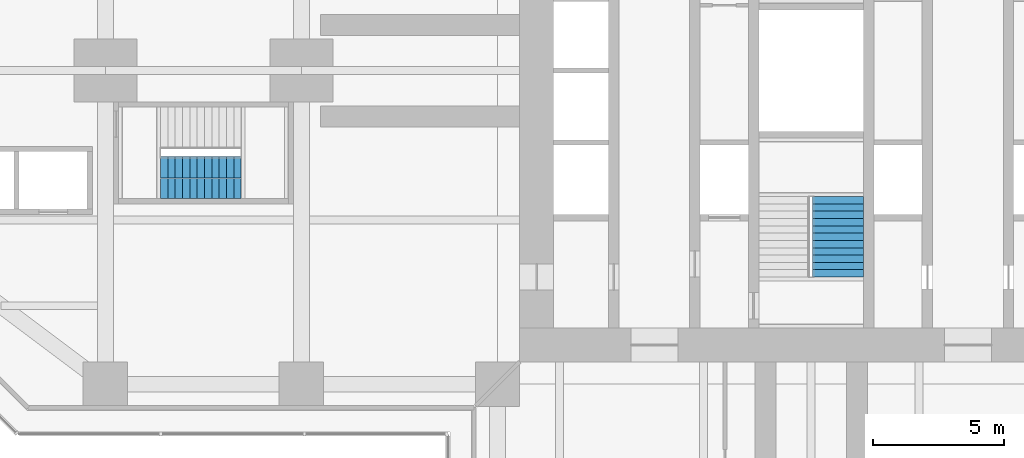
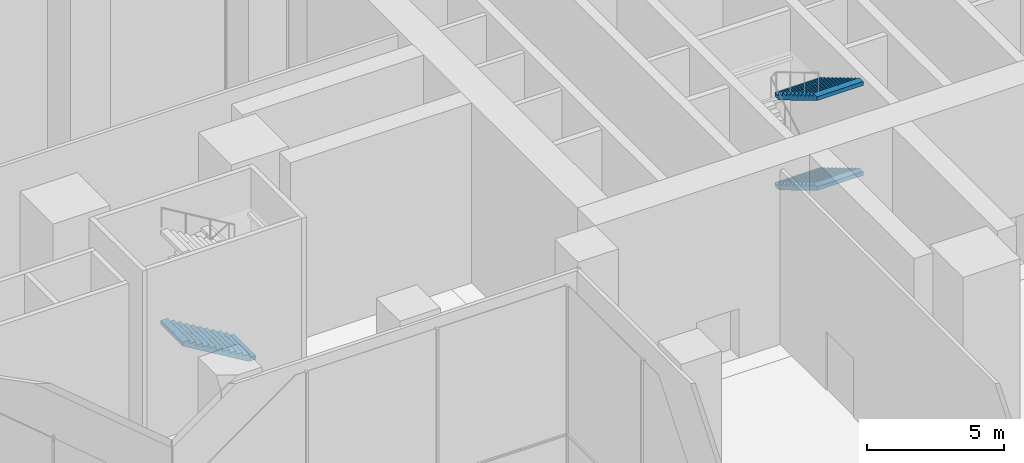
# One storey, part 20 of 25: 3 stair flights, 2 elements without a shape of their own.
"""IFC4 building model written with IfcOpenShell, lengths in metres."""

from ifc_helpers import new_model, si_unit, direction, frame, origin, place, context, subcontext, project, spatial, polyline, outline, extrude, material, type_object, element, aggregate, save


model = new_model("IFC4")

# Units and contexts
model_context = context("Model", 3, precision=1e-05, world=origin(), true_north=direction((0.0, 1.0)))
body_context = subcontext(model_context, "Body", "Model", "MODEL_VIEW")
ifc_project = project(units=[si_unit("LENGTHUNIT", "METRE"), si_unit("AREAUNIT", "SQUARE_METRE"), si_unit("VOLUMEUNIT", "CUBIC_METRE"), si_unit("PLANEANGLEUNIT", "RADIAN"), si_unit("MASSUNIT", "GRAM", prefix="KILO")], contexts=[model_context])

# Site, building, storey
site_placement = place(None, origin())
site = spatial("IfcSite", under=ifc_project, at=site_placement, CompositionType="ELEMENT")
building_placement = place(site_placement, origin())
building = spatial("IfcBuilding", under=site, at=building_placement, Name="Mizan Broadcast Tower", CompositionType="ELEMENT")
storey_placement = place(building_placement, frame((0.0, 0.0, 7.0)))
storey = spatial("IfcBuildingStorey", under=building, at=storey_placement, Name="L01", CompositionType="ELEMENT", Elevation=7.0)

# Stair, stair flights
ifc_material_1 = material(Name="Concrete C40/50", Category="concrete")
stair_type = type_object("IfcStairType", Name="EXIT STAIR", PredefinedType="HALF_TURN_STAIR", material=ifc_material_1)
stair_1_placement = place(storey_placement, origin())
stair_1 = element("IfcStair", 1, at=stair_1_placement, inside=storey, type_object=stair_type, Name="Stair A L01", PredefinedType="HALF_TURN_STAIR")
ifc_material_2 = material(Name="Concrete C40/50", Category="concrete")
stair_flight_type = type_object("IfcStairFlightType", Name="EXIT STAIR FLIGHT", PredefinedType="STRAIGHT", material=ifc_material_2)
stair_flight_1_placement = place(storey_placement, frame((1.02490234375, -4.820068359375, 2.0), z_axis=(0.0, 0.0, 1.0), x_axis=(0.0, -1.0, 0.0)))
stair_flight_1 = element("IfcStairFlight", 2, at=stair_flight_1_placement, type_object=stair_flight_type, Name="A flight 2", NumberOfRisers=12, NumberOfTreads=11, PredefinedType="STRAIGHT", RiserHeight=0.166666667, TreadLength=0.28, context=body_context, shape_type="SweptSolid", body=[
    extrude(outline(polyline([(0.0, 0.0), (0.0, 0.166748046875), (0.280029296875, 0.166748046875), (0.280029296875, 0.333251953125), (0.56005859375, 0.333251953125), (0.56005859375, 0.5), (0.840087890625, 0.5), (0.840087890625, 0.666748046875), (1.1201171875, 0.666748046875), (1.1201171875, 0.833251953125), (1.39990234375, 0.833251953125), (1.39990234375, 1.0), (1.679931640625, 1.0), (1.679931640625, 1.166748046875), (1.9599609375, 1.166748046875), (1.9599609375, 1.333251953125), (2.239990234375, 1.333251953125), (2.239990234375, 1.5), (2.52001953125, 1.5), (2.52001953125, 1.666748046875), (2.800048828125, 1.666748046875), (2.800048828125, 1.833251953125), (3.080078125, 1.833251953125), (3.080078125, 2.0), (3.080078125, 1.658935546875), (0.29296875, 0.0), (0.0, 0.0)])), frame((0.0, 0.97509765625, 0.0), z_axis=(0.0, -1.0, 0.0), x_axis=(1.0, 0.0, 0.0)), (0.0, 0.0, 1.0), 0.4873046875),
    extrude(outline(polyline([(0.0, 0.0), (0.0, 0.166748046875), (0.280029296875, 0.166748046875), (0.280029296875, 0.333251953125), (0.56005859375, 0.333251953125), (0.56005859375, 0.5), (0.840087890625, 0.5), (0.840087890625, 0.666748046875), (1.1201171875, 0.666748046875), (1.1201171875, 0.833251953125), (1.39990234375, 0.833251953125), (1.39990234375, 1.0), (1.679931640625, 1.0), (1.679931640625, 1.166748046875), (1.9599609375, 1.166748046875), (1.9599609375, 1.333251953125), (2.239990234375, 1.333251953125), (2.239990234375, 1.5), (2.52001953125, 1.5), (2.52001953125, 1.666748046875), (2.800048828125, 1.666748046875), (2.800048828125, 1.833251953125), (3.080078125, 1.833251953125), (3.080078125, 2.0), (3.080078125, 1.658935546875), (0.29296875, 0.0), (0.0, 0.0)])), frame((0.0, 0.4873046875, 0.0), z_axis=(0.0, -1.0, 0.0), x_axis=(1.0, 0.0, 0.0)), (0.0, 0.0, 1.0), 0.2431640625),
    extrude(outline(polyline([(0.0, 0.0), (0.0, 0.166748046875), (0.280029296875, 0.166748046875), (0.280029296875, 0.333251953125), (0.56005859375, 0.333251953125), (0.56005859375, 0.5), (0.840087890625, 0.5), (0.840087890625, 0.666748046875), (1.1201171875, 0.666748046875), (1.1201171875, 0.833251953125), (1.39990234375, 0.833251953125), (1.39990234375, 1.0), (1.679931640625, 1.0), (1.679931640625, 1.166748046875), (1.9599609375, 1.166748046875), (1.9599609375, 1.333251953125), (2.239990234375, 1.333251953125), (2.239990234375, 1.5), (2.52001953125, 1.5), (2.52001953125, 1.666748046875), (2.800048828125, 1.666748046875), (2.800048828125, 1.833251953125), (3.080078125, 1.833251953125), (3.080078125, 2.0), (3.080078125, 1.658935546875), (0.29296875, 0.0), (0.0, 0.0)])), frame((0.0, 0.24365234375, 0.0), z_axis=(0.0, -1.0, 0.0), x_axis=(1.0, 0.0, 0.0)), (0.0, 0.0, 1.0), 0.121337890625),
    extrude(outline(polyline([(0.0, 0.0), (0.0, 0.166748046875), (0.280029296875, 0.166748046875), (0.280029296875, 0.333251953125), (0.56005859375, 0.333251953125), (0.56005859375, 0.5), (0.840087890625, 0.5), (0.840087890625, 0.666748046875), (1.1201171875, 0.666748046875), (1.1201171875, 0.833251953125), (1.39990234375, 0.833251953125), (1.39990234375, 1.0), (1.679931640625, 1.0), (1.679931640625, 1.166748046875), (1.9599609375, 1.166748046875), (1.9599609375, 1.333251953125), (2.239990234375, 1.333251953125), (2.239990234375, 1.5), (2.52001953125, 1.5), (2.52001953125, 1.666748046875), (2.800048828125, 1.666748046875), (2.800048828125, 1.833251953125), (3.080078125, 1.833251953125), (3.080078125, 2.0), (3.080078125, 1.658935546875), (0.29296875, 0.0), (0.0, 0.0)])), frame((0.0, 0.121826171875, 0.0), z_axis=(0.0, -1.0, 0.0), x_axis=(1.0, 0.0, 0.0)), (0.0, 0.0, 1.0), 0.060546875),
    extrude(outline(polyline([(0.0, 0.0), (0.0, 0.166748046875), (0.280029296875, 0.166748046875), (0.280029296875, 0.333251953125), (0.56005859375, 0.333251953125), (0.56005859375, 0.5), (0.840087890625, 0.5), (0.840087890625, 0.666748046875), (1.1201171875, 0.666748046875), (1.1201171875, 0.833251953125), (1.39990234375, 0.833251953125), (1.39990234375, 1.0), (1.679931640625, 1.0), (1.679931640625, 1.166748046875), (1.9599609375, 1.166748046875), (1.9599609375, 1.333251953125), (2.239990234375, 1.333251953125), (2.239990234375, 1.5), (2.52001953125, 1.5), (2.52001953125, 1.666748046875), (2.800048828125, 1.666748046875), (2.800048828125, 1.833251953125), (3.080078125, 1.833251953125), (3.080078125, 2.0), (3.080078125, 1.658935546875), (0.29296875, 0.0), (0.0, 0.0)])), frame((0.0, 0.060791015625, 0.0), z_axis=(0.0, -1.0, 0.0), x_axis=(1.0, 0.0, 0.0)), (0.0, 0.0, 1.0), 0.030029296875),
    extrude(outline(polyline([(0.0, 0.0), (0.0, 0.166748046875), (0.280029296875, 0.166748046875), (0.280029296875, 0.333251953125), (0.56005859375, 0.333251953125), (0.56005859375, 0.5), (0.840087890625, 0.5), (0.840087890625, 0.666748046875), (1.1201171875, 0.666748046875), (1.1201171875, 0.833251953125), (1.39990234375, 0.833251953125), (1.39990234375, 1.0), (1.679931640625, 1.0), (1.679931640625, 1.166748046875), (1.9599609375, 1.166748046875), (1.9599609375, 1.333251953125), (2.239990234375, 1.333251953125), (2.239990234375, 1.5), (2.52001953125, 1.5), (2.52001953125, 1.666748046875), (2.800048828125, 1.666748046875), (2.800048828125, 1.833251953125), (3.080078125, 1.833251953125), (3.080078125, 2.0), (3.080078125, 1.658935546875), (0.29296875, 0.0), (0.0, 0.0)])), frame((0.0, 0.0302734375, 0.0), z_axis=(0.0, -1.0, 0.0), x_axis=(1.0, 0.0, 0.0)), (0.0, 0.0, 1.0), 0.060302734375),
    extrude(outline(polyline([(0.0, 0.0), (0.0, 0.166748046875), (0.280029296875, 0.166748046875), (0.280029296875, 0.333251953125), (0.56005859375, 0.333251953125), (0.56005859375, 0.5), (0.840087890625, 0.5), (0.840087890625, 0.666748046875), (1.1201171875, 0.666748046875), (1.1201171875, 0.833251953125), (1.39990234375, 0.833251953125), (1.39990234375, 1.0), (1.679931640625, 1.0), (1.679931640625, 1.166748046875), (1.9599609375, 1.166748046875), (1.9599609375, 1.333251953125), (2.239990234375, 1.333251953125), (2.239990234375, 1.5), (2.52001953125, 1.5), (2.52001953125, 1.666748046875), (2.800048828125, 1.666748046875), (2.800048828125, 1.833251953125), (3.080078125, 1.833251953125), (3.080078125, 2.0), (3.080078125, 1.658935546875), (0.29296875, 0.0), (0.0, 0.0)])), frame((0.0, -0.030517578125, 0.0), z_axis=(0.0, -1.0, 0.0), x_axis=(1.0, 0.0, 0.0)), (0.0, 0.0, 1.0), 0.030029296875),
    extrude(outline(polyline([(0.0, 0.0), (0.0, 0.166748046875), (0.280029296875, 0.166748046875), (0.280029296875, 0.333251953125), (0.56005859375, 0.333251953125), (0.56005859375, 0.5), (0.840087890625, 0.5), (0.840087890625, 0.666748046875), (1.1201171875, 0.666748046875), (1.1201171875, 0.833251953125), (1.39990234375, 0.833251953125), (1.39990234375, 1.0), (1.679931640625, 1.0), (1.679931640625, 1.166748046875), (1.9599609375, 1.166748046875), (1.9599609375, 1.333251953125), (2.239990234375, 1.333251953125), (2.239990234375, 1.5), (2.52001953125, 1.5), (2.52001953125, 1.666748046875), (2.800048828125, 1.666748046875), (2.800048828125, 1.833251953125), (3.080078125, 1.833251953125), (3.080078125, 2.0), (3.080078125, 1.658935546875), (0.29296875, 0.0), (0.0, 0.0)])), frame((0.0, -0.06103515625, 0.0), z_axis=(0.0, -1.0, 0.0), x_axis=(1.0, 0.0, 0.0)), (0.0, 0.0, 1.0), 0.060546875),
    extrude(outline(polyline([(0.0, 0.0), (0.0, 0.166748046875), (0.280029296875, 0.166748046875), (0.280029296875, 0.333251953125), (0.56005859375, 0.333251953125), (0.56005859375, 0.5), (0.840087890625, 0.5), (0.840087890625, 0.666748046875), (1.1201171875, 0.666748046875), (1.1201171875, 0.833251953125), (1.39990234375, 0.833251953125), (1.39990234375, 1.0), (1.679931640625, 1.0), (1.679931640625, 1.166748046875), (1.9599609375, 1.166748046875), (1.9599609375, 1.333251953125), (2.239990234375, 1.333251953125), (2.239990234375, 1.5), (2.52001953125, 1.5), (2.52001953125, 1.666748046875), (2.800048828125, 1.666748046875), (2.800048828125, 1.833251953125), (3.080078125, 1.833251953125), (3.080078125, 2.0), (3.080078125, 1.658935546875), (0.29296875, 0.0), (0.0, 0.0)])), frame((0.0, -0.1220703125, 0.0), z_axis=(0.0, -1.0, 0.0), x_axis=(1.0, 0.0, 0.0)), (0.0, 0.0, 1.0), 0.121337890625),
    extrude(outline(polyline([(0.0, 0.0), (0.0, 0.166748046875), (0.280029296875, 0.166748046875), (0.280029296875, 0.333251953125), (0.56005859375, 0.333251953125), (0.56005859375, 0.5), (0.840087890625, 0.5), (0.840087890625, 0.666748046875), (1.1201171875, 0.666748046875), (1.1201171875, 0.833251953125), (1.39990234375, 0.833251953125), (1.39990234375, 1.0), (1.679931640625, 1.0), (1.679931640625, 1.166748046875), (1.9599609375, 1.166748046875), (1.9599609375, 1.333251953125), (2.239990234375, 1.333251953125), (2.239990234375, 1.5), (2.52001953125, 1.5), (2.52001953125, 1.666748046875), (2.800048828125, 1.666748046875), (2.800048828125, 1.833251953125), (3.080078125, 1.833251953125), (3.080078125, 2.0), (3.080078125, 1.658935546875), (0.29296875, 0.0), (0.0, 0.0)])), frame((0.0, -0.243896484375, 0.0), z_axis=(0.0, -1.0, 0.0), x_axis=(1.0, 0.0, 0.0)), (0.0, 0.0, 1.0), 0.2431640625),
    extrude(outline(polyline([(0.0, 0.0), (0.0, 0.166748046875), (0.280029296875, 0.166748046875), (0.280029296875, 0.333251953125), (0.56005859375, 0.333251953125), (0.56005859375, 0.5), (0.840087890625, 0.5), (0.840087890625, 0.666748046875), (1.1201171875, 0.666748046875), (1.1201171875, 0.833251953125), (1.39990234375, 0.833251953125), (1.39990234375, 1.0), (1.679931640625, 1.0), (1.679931640625, 1.166748046875), (1.9599609375, 1.166748046875), (1.9599609375, 1.333251953125), (2.239990234375, 1.333251953125), (2.239990234375, 1.5), (2.52001953125, 1.5), (2.52001953125, 1.666748046875), (2.800048828125, 1.666748046875), (2.800048828125, 1.833251953125), (3.080078125, 1.833251953125), (3.080078125, 2.0), (3.080078125, 1.658935546875), (0.29296875, 0.0), (0.0, 0.0)])), frame((0.0, -0.487548828125, 0.0), z_axis=(0.0, -1.0, 0.0), x_axis=(1.0, 0.0, 0.0)), (0.0, 0.0, 1.0), 0.4873046875),
])
stair_flight_2_placement = place(storey_placement, frame((1.02490234375, -4.820068359375, 6.0), z_axis=(0.0, 0.0, 1.0), x_axis=(0.0, -1.0, 0.0)))
stair_flight_2 = element("IfcStairFlight", 3, at=stair_flight_2_placement, type_object=stair_flight_type, Name="A flight 4", NumberOfRisers=12, NumberOfTreads=11, PredefinedType="STRAIGHT", RiserHeight=0.166666667, TreadLength=0.28, context=body_context, shape_type="SweptSolid", body=[
    extrude(outline(polyline([(0.0, 0.0), (0.0, 0.166748046875), (0.280029296875, 0.166748046875), (0.280029296875, 0.333251953125), (0.56005859375, 0.333251953125), (0.56005859375, 0.5), (0.840087890625, 0.5), (0.840087890625, 0.666748046875), (1.1201171875, 0.666748046875), (1.1201171875, 0.833251953125), (1.39990234375, 0.833251953125), (1.39990234375, 1.0), (1.679931640625, 1.0), (1.679931640625, 1.166748046875), (1.9599609375, 1.166748046875), (1.9599609375, 1.333251953125), (2.239990234375, 1.333251953125), (2.239990234375, 1.5), (2.52001953125, 1.5), (2.52001953125, 1.666748046875), (2.800048828125, 1.666748046875), (2.800048828125, 1.833251953125), (3.080078125, 1.833251953125), (3.080078125, 2.0), (3.080078125, 1.658935546875), (0.29296875, 0.0), (0.0, 0.0)])), frame((0.0, 0.97509765625, 0.0), z_axis=(0.0, -1.0, 0.0), x_axis=(1.0, 0.0, 0.0)), (0.0, 0.0, 1.0), 0.4873046875),
    extrude(outline(polyline([(0.0, 0.0), (0.0, 0.166748046875), (0.280029296875, 0.166748046875), (0.280029296875, 0.333251953125), (0.56005859375, 0.333251953125), (0.56005859375, 0.5), (0.840087890625, 0.5), (0.840087890625, 0.666748046875), (1.1201171875, 0.666748046875), (1.1201171875, 0.833251953125), (1.39990234375, 0.833251953125), (1.39990234375, 1.0), (1.679931640625, 1.0), (1.679931640625, 1.166748046875), (1.9599609375, 1.166748046875), (1.9599609375, 1.333251953125), (2.239990234375, 1.333251953125), (2.239990234375, 1.5), (2.52001953125, 1.5), (2.52001953125, 1.666748046875), (2.800048828125, 1.666748046875), (2.800048828125, 1.833251953125), (3.080078125, 1.833251953125), (3.080078125, 2.0), (3.080078125, 1.658935546875), (0.29296875, 0.0), (0.0, 0.0)])), frame((0.0, 0.4873046875, 0.0), z_axis=(0.0, -1.0, 0.0), x_axis=(1.0, 0.0, 0.0)), (0.0, 0.0, 1.0), 0.2431640625),
    extrude(outline(polyline([(0.0, 0.0), (0.0, 0.166748046875), (0.280029296875, 0.166748046875), (0.280029296875, 0.333251953125), (0.56005859375, 0.333251953125), (0.56005859375, 0.5), (0.840087890625, 0.5), (0.840087890625, 0.666748046875), (1.1201171875, 0.666748046875), (1.1201171875, 0.833251953125), (1.39990234375, 0.833251953125), (1.39990234375, 1.0), (1.679931640625, 1.0), (1.679931640625, 1.166748046875), (1.9599609375, 1.166748046875), (1.9599609375, 1.333251953125), (2.239990234375, 1.333251953125), (2.239990234375, 1.5), (2.52001953125, 1.5), (2.52001953125, 1.666748046875), (2.800048828125, 1.666748046875), (2.800048828125, 1.833251953125), (3.080078125, 1.833251953125), (3.080078125, 2.0), (3.080078125, 1.658935546875), (0.29296875, 0.0), (0.0, 0.0)])), frame((0.0, 0.24365234375, 0.0), z_axis=(0.0, -1.0, 0.0), x_axis=(1.0, 0.0, 0.0)), (0.0, 0.0, 1.0), 0.121337890625),
    extrude(outline(polyline([(0.0, 0.0), (0.0, 0.166748046875), (0.280029296875, 0.166748046875), (0.280029296875, 0.333251953125), (0.56005859375, 0.333251953125), (0.56005859375, 0.5), (0.840087890625, 0.5), (0.840087890625, 0.666748046875), (1.1201171875, 0.666748046875), (1.1201171875, 0.833251953125), (1.39990234375, 0.833251953125), (1.39990234375, 1.0), (1.679931640625, 1.0), (1.679931640625, 1.166748046875), (1.9599609375, 1.166748046875), (1.9599609375, 1.333251953125), (2.239990234375, 1.333251953125), (2.239990234375, 1.5), (2.52001953125, 1.5), (2.52001953125, 1.666748046875), (2.800048828125, 1.666748046875), (2.800048828125, 1.833251953125), (3.080078125, 1.833251953125), (3.080078125, 2.0), (3.080078125, 1.658935546875), (0.29296875, 0.0), (0.0, 0.0)])), frame((0.0, 0.121826171875, 0.0), z_axis=(0.0, -1.0, 0.0), x_axis=(1.0, 0.0, 0.0)), (0.0, 0.0, 1.0), 0.060546875),
    extrude(outline(polyline([(0.0, 0.0), (0.0, 0.166748046875), (0.280029296875, 0.166748046875), (0.280029296875, 0.333251953125), (0.56005859375, 0.333251953125), (0.56005859375, 0.5), (0.840087890625, 0.5), (0.840087890625, 0.666748046875), (1.1201171875, 0.666748046875), (1.1201171875, 0.833251953125), (1.39990234375, 0.833251953125), (1.39990234375, 1.0), (1.679931640625, 1.0), (1.679931640625, 1.166748046875), (1.9599609375, 1.166748046875), (1.9599609375, 1.333251953125), (2.239990234375, 1.333251953125), (2.239990234375, 1.5), (2.52001953125, 1.5), (2.52001953125, 1.666748046875), (2.800048828125, 1.666748046875), (2.800048828125, 1.833251953125), (3.080078125, 1.833251953125), (3.080078125, 2.0), (3.080078125, 1.658935546875), (0.29296875, 0.0), (0.0, 0.0)])), frame((0.0, 0.060791015625, 0.0), z_axis=(0.0, -1.0, 0.0), x_axis=(1.0, 0.0, 0.0)), (0.0, 0.0, 1.0), 0.030029296875),
    extrude(outline(polyline([(0.0, 0.0), (0.0, 0.166748046875), (0.280029296875, 0.166748046875), (0.280029296875, 0.333251953125), (0.56005859375, 0.333251953125), (0.56005859375, 0.5), (0.840087890625, 0.5), (0.840087890625, 0.666748046875), (1.1201171875, 0.666748046875), (1.1201171875, 0.833251953125), (1.39990234375, 0.833251953125), (1.39990234375, 1.0), (1.679931640625, 1.0), (1.679931640625, 1.166748046875), (1.9599609375, 1.166748046875), (1.9599609375, 1.333251953125), (2.239990234375, 1.333251953125), (2.239990234375, 1.5), (2.52001953125, 1.5), (2.52001953125, 1.666748046875), (2.800048828125, 1.666748046875), (2.800048828125, 1.833251953125), (3.080078125, 1.833251953125), (3.080078125, 2.0), (3.080078125, 1.658935546875), (0.29296875, 0.0), (0.0, 0.0)])), frame((0.0, 0.0302734375, 0.0), z_axis=(0.0, -1.0, 0.0), x_axis=(1.0, 0.0, 0.0)), (0.0, 0.0, 1.0), 0.060302734375),
    extrude(outline(polyline([(0.0, 0.0), (0.0, 0.166748046875), (0.280029296875, 0.166748046875), (0.280029296875, 0.333251953125), (0.56005859375, 0.333251953125), (0.56005859375, 0.5), (0.840087890625, 0.5), (0.840087890625, 0.666748046875), (1.1201171875, 0.666748046875), (1.1201171875, 0.833251953125), (1.39990234375, 0.833251953125), (1.39990234375, 1.0), (1.679931640625, 1.0), (1.679931640625, 1.166748046875), (1.9599609375, 1.166748046875), (1.9599609375, 1.333251953125), (2.239990234375, 1.333251953125), (2.239990234375, 1.5), (2.52001953125, 1.5), (2.52001953125, 1.666748046875), (2.800048828125, 1.666748046875), (2.800048828125, 1.833251953125), (3.080078125, 1.833251953125), (3.080078125, 2.0), (3.080078125, 1.658935546875), (0.29296875, 0.0), (0.0, 0.0)])), frame((0.0, -0.030517578125, 0.0), z_axis=(0.0, -1.0, 0.0), x_axis=(1.0, 0.0, 0.0)), (0.0, 0.0, 1.0), 0.030029296875),
    extrude(outline(polyline([(0.0, 0.0), (0.0, 0.166748046875), (0.280029296875, 0.166748046875), (0.280029296875, 0.333251953125), (0.56005859375, 0.333251953125), (0.56005859375, 0.5), (0.840087890625, 0.5), (0.840087890625, 0.666748046875), (1.1201171875, 0.666748046875), (1.1201171875, 0.833251953125), (1.39990234375, 0.833251953125), (1.39990234375, 1.0), (1.679931640625, 1.0), (1.679931640625, 1.166748046875), (1.9599609375, 1.166748046875), (1.9599609375, 1.333251953125), (2.239990234375, 1.333251953125), (2.239990234375, 1.5), (2.52001953125, 1.5), (2.52001953125, 1.666748046875), (2.800048828125, 1.666748046875), (2.800048828125, 1.833251953125), (3.080078125, 1.833251953125), (3.080078125, 2.0), (3.080078125, 1.658935546875), (0.29296875, 0.0), (0.0, 0.0)])), frame((0.0, -0.06103515625, 0.0), z_axis=(0.0, -1.0, 0.0), x_axis=(1.0, 0.0, 0.0)), (0.0, 0.0, 1.0), 0.060546875),
    extrude(outline(polyline([(0.0, 0.0), (0.0, 0.166748046875), (0.280029296875, 0.166748046875), (0.280029296875, 0.333251953125), (0.56005859375, 0.333251953125), (0.56005859375, 0.5), (0.840087890625, 0.5), (0.840087890625, 0.666748046875), (1.1201171875, 0.666748046875), (1.1201171875, 0.833251953125), (1.39990234375, 0.833251953125), (1.39990234375, 1.0), (1.679931640625, 1.0), (1.679931640625, 1.166748046875), (1.9599609375, 1.166748046875), (1.9599609375, 1.333251953125), (2.239990234375, 1.333251953125), (2.239990234375, 1.5), (2.52001953125, 1.5), (2.52001953125, 1.666748046875), (2.800048828125, 1.666748046875), (2.800048828125, 1.833251953125), (3.080078125, 1.833251953125), (3.080078125, 2.0), (3.080078125, 1.658935546875), (0.29296875, 0.0), (0.0, 0.0)])), frame((0.0, -0.1220703125, 0.0), z_axis=(0.0, -1.0, 0.0), x_axis=(1.0, 0.0, 0.0)), (0.0, 0.0, 1.0), 0.121337890625),
    extrude(outline(polyline([(0.0, 0.0), (0.0, 0.166748046875), (0.280029296875, 0.166748046875), (0.280029296875, 0.333251953125), (0.56005859375, 0.333251953125), (0.56005859375, 0.5), (0.840087890625, 0.5), (0.840087890625, 0.666748046875), (1.1201171875, 0.666748046875), (1.1201171875, 0.833251953125), (1.39990234375, 0.833251953125), (1.39990234375, 1.0), (1.679931640625, 1.0), (1.679931640625, 1.166748046875), (1.9599609375, 1.166748046875), (1.9599609375, 1.333251953125), (2.239990234375, 1.333251953125), (2.239990234375, 1.5), (2.52001953125, 1.5), (2.52001953125, 1.666748046875), (2.800048828125, 1.666748046875), (2.800048828125, 1.833251953125), (3.080078125, 1.833251953125), (3.080078125, 2.0), (3.080078125, 1.658935546875), (0.29296875, 0.0), (0.0, 0.0)])), frame((0.0, -0.243896484375, 0.0), z_axis=(0.0, -1.0, 0.0), x_axis=(1.0, 0.0, 0.0)), (0.0, 0.0, 1.0), 0.2431640625),
    extrude(outline(polyline([(0.0, 0.0), (0.0, 0.166748046875), (0.280029296875, 0.166748046875), (0.280029296875, 0.333251953125), (0.56005859375, 0.333251953125), (0.56005859375, 0.5), (0.840087890625, 0.5), (0.840087890625, 0.666748046875), (1.1201171875, 0.666748046875), (1.1201171875, 0.833251953125), (1.39990234375, 0.833251953125), (1.39990234375, 1.0), (1.679931640625, 1.0), (1.679931640625, 1.166748046875), (1.9599609375, 1.166748046875), (1.9599609375, 1.333251953125), (2.239990234375, 1.333251953125), (2.239990234375, 1.5), (2.52001953125, 1.5), (2.52001953125, 1.666748046875), (2.800048828125, 1.666748046875), (2.800048828125, 1.833251953125), (3.080078125, 1.833251953125), (3.080078125, 2.0), (3.080078125, 1.658935546875), (0.29296875, 0.0), (0.0, 0.0)])), frame((0.0, -0.487548828125, 0.0), z_axis=(0.0, -1.0, 0.0), x_axis=(1.0, 0.0, 0.0)), (0.0, 0.0, 1.0), 0.4873046875),
])
aggregate(stair_1, [stair_flight_1, stair_flight_2])

# Stair, stair flight
stair_2_placement = place(storey_placement, origin())
stair_2 = element("IfcStair", 4, at=stair_2_placement, inside=storey, type_object=stair_type, Name="Stair D L01", PredefinedType="HALF_TURN_STAIR")
stair_flight_3_placement = place(storey_placement, frame((-21.81005859375, -4.094970703125, 2.0), z_axis=(0.0, 0.0, 1.0), x_axis=(-1.0, 0.0, 0.0)))
stair_flight_3 = element("IfcStairFlight", 5, at=stair_flight_3_placement, type_object=stair_flight_type, Name="D flight 2", NumberOfRisers=12, NumberOfTreads=11, PredefinedType="STRAIGHT", RiserHeight=0.166666667, TreadLength=0.28, context=body_context, shape_type="SweptSolid", body=[
    extrude(outline(polyline([(0.0, 0.0), (0.0, 0.166748046875), (0.280029296875, 0.166748046875), (0.280029296875, 0.333251953125), (0.56005859375, 0.333251953125), (0.56005859375, 0.5), (0.840087890625, 0.5), (0.840087890625, 0.666748046875), (1.1201171875, 0.666748046875), (1.1201171875, 0.833251953125), (1.39990234375, 0.833251953125), (1.39990234375, 1.0), (1.679931640625, 1.0), (1.679931640625, 1.166748046875), (1.9599609375, 1.166748046875), (1.9599609375, 1.333251953125), (2.239990234375, 1.333251953125), (2.239990234375, 1.5), (2.52001953125, 1.5), (2.52001953125, 1.666748046875), (2.800048828125, 1.666748046875), (2.800048828125, 1.833251953125), (3.080078125, 1.833251953125), (3.080078125, 2.0), (3.080078125, 1.658935546875), (0.29296875, 0.0), (0.0, 0.0)])), frame((0.0, 0.80517578125, 0.0), z_axis=(0.0, -1.0, 0.0), x_axis=(1.0, 0.0, 0.0)), (0.0, 0.0, 1.0), 0.40234375),
    extrude(outline(polyline([(0.0, 0.0), (0.0, 0.166748046875), (0.280029296875, 0.166748046875), (0.280029296875, 0.333251953125), (0.56005859375, 0.333251953125), (0.56005859375, 0.5), (0.840087890625, 0.5), (0.840087890625, 0.666748046875), (1.1201171875, 0.666748046875), (1.1201171875, 0.833251953125), (1.39990234375, 0.833251953125), (1.39990234375, 1.0), (1.679931640625, 1.0), (1.679931640625, 1.166748046875), (1.9599609375, 1.166748046875), (1.9599609375, 1.333251953125), (2.239990234375, 1.333251953125), (2.239990234375, 1.5), (2.52001953125, 1.5), (2.52001953125, 1.666748046875), (2.800048828125, 1.666748046875), (2.800048828125, 1.833251953125), (3.080078125, 1.833251953125), (3.080078125, 2.0), (3.080078125, 1.658935546875), (0.29296875, 0.0), (0.0, 0.0)])), frame((0.0, 0.40234375, 0.0), z_axis=(0.0, -1.0, 0.0), x_axis=(1.0, 0.0, 0.0)), (0.0, 0.0, 1.0), 0.20068359375),
    extrude(outline(polyline([(0.0, 0.0), (0.0, 0.166748046875), (0.280029296875, 0.166748046875), (0.280029296875, 0.333251953125), (0.56005859375, 0.333251953125), (0.56005859375, 0.5), (0.840087890625, 0.5), (0.840087890625, 0.666748046875), (1.1201171875, 0.666748046875), (1.1201171875, 0.833251953125), (1.39990234375, 0.833251953125), (1.39990234375, 1.0), (1.679931640625, 1.0), (1.679931640625, 1.166748046875), (1.9599609375, 1.166748046875), (1.9599609375, 1.333251953125), (2.239990234375, 1.333251953125), (2.239990234375, 1.5), (2.52001953125, 1.5), (2.52001953125, 1.666748046875), (2.800048828125, 1.666748046875), (2.800048828125, 1.833251953125), (3.080078125, 1.833251953125), (3.080078125, 2.0), (3.080078125, 1.658935546875), (0.29296875, 0.0), (0.0, 0.0)])), frame((0.0, 0.201171875, 0.0), z_axis=(0.0, -1.0, 0.0), x_axis=(1.0, 0.0, 0.0)), (0.0, 0.0, 1.0), 0.10009765625),
    extrude(outline(polyline([(0.0, 0.0), (0.0, 0.166748046875), (0.280029296875, 0.166748046875), (0.280029296875, 0.333251953125), (0.56005859375, 0.333251953125), (0.56005859375, 0.5), (0.840087890625, 0.5), (0.840087890625, 0.666748046875), (1.1201171875, 0.666748046875), (1.1201171875, 0.833251953125), (1.39990234375, 0.833251953125), (1.39990234375, 1.0), (1.679931640625, 1.0), (1.679931640625, 1.166748046875), (1.9599609375, 1.166748046875), (1.9599609375, 1.333251953125), (2.239990234375, 1.333251953125), (2.239990234375, 1.5), (2.52001953125, 1.5), (2.52001953125, 1.666748046875), (2.800048828125, 1.666748046875), (2.800048828125, 1.833251953125), (3.080078125, 1.833251953125), (3.080078125, 2.0), (3.080078125, 1.658935546875), (0.29296875, 0.0), (0.0, 0.0)])), frame((0.0, 0.1005859375, 0.0), z_axis=(0.0, -1.0, 0.0), x_axis=(1.0, 0.0, 0.0)), (0.0, 0.0, 1.0), 0.0498046875),
    extrude(outline(polyline([(0.0, 0.0), (0.0, 0.166748046875), (0.280029296875, 0.166748046875), (0.280029296875, 0.333251953125), (0.56005859375, 0.333251953125), (0.56005859375, 0.5), (0.840087890625, 0.5), (0.840087890625, 0.666748046875), (1.1201171875, 0.666748046875), (1.1201171875, 0.833251953125), (1.39990234375, 0.833251953125), (1.39990234375, 1.0), (1.679931640625, 1.0), (1.679931640625, 1.166748046875), (1.9599609375, 1.166748046875), (1.9599609375, 1.333251953125), (2.239990234375, 1.333251953125), (2.239990234375, 1.5), (2.52001953125, 1.5), (2.52001953125, 1.666748046875), (2.800048828125, 1.666748046875), (2.800048828125, 1.833251953125), (3.080078125, 1.833251953125), (3.080078125, 2.0), (3.080078125, 1.658935546875), (0.29296875, 0.0), (0.0, 0.0)])), frame((0.0, 0.05029296875, 0.0), z_axis=(0.0, -1.0, 0.0), x_axis=(1.0, 0.0, 0.0)), (0.0, 0.0, 1.0), 0.024658203125),
    extrude(outline(polyline([(0.0, 0.0), (0.0, 0.166748046875), (0.280029296875, 0.166748046875), (0.280029296875, 0.333251953125), (0.56005859375, 0.333251953125), (0.56005859375, 0.5), (0.840087890625, 0.5), (0.840087890625, 0.666748046875), (1.1201171875, 0.666748046875), (1.1201171875, 0.833251953125), (1.39990234375, 0.833251953125), (1.39990234375, 1.0), (1.679931640625, 1.0), (1.679931640625, 1.166748046875), (1.9599609375, 1.166748046875), (1.9599609375, 1.333251953125), (2.239990234375, 1.333251953125), (2.239990234375, 1.5), (2.52001953125, 1.5), (2.52001953125, 1.666748046875), (2.800048828125, 1.666748046875), (2.800048828125, 1.833251953125), (3.080078125, 1.833251953125), (3.080078125, 2.0), (3.080078125, 1.658935546875), (0.29296875, 0.0), (0.0, 0.0)])), frame((0.0, 0.025146484375, 0.0), z_axis=(0.0, -1.0, 0.0), x_axis=(1.0, 0.0, 0.0)), (0.0, 0.0, 1.0), 0.050048828125),
    extrude(outline(polyline([(0.0, 0.0), (0.0, 0.166748046875), (0.280029296875, 0.166748046875), (0.280029296875, 0.333251953125), (0.56005859375, 0.333251953125), (0.56005859375, 0.5), (0.840087890625, 0.5), (0.840087890625, 0.666748046875), (1.1201171875, 0.666748046875), (1.1201171875, 0.833251953125), (1.39990234375, 0.833251953125), (1.39990234375, 1.0), (1.679931640625, 1.0), (1.679931640625, 1.166748046875), (1.9599609375, 1.166748046875), (1.9599609375, 1.333251953125), (2.239990234375, 1.333251953125), (2.239990234375, 1.5), (2.52001953125, 1.5), (2.52001953125, 1.666748046875), (2.800048828125, 1.666748046875), (2.800048828125, 1.833251953125), (3.080078125, 1.833251953125), (3.080078125, 2.0), (3.080078125, 1.658935546875), (0.29296875, 0.0), (0.0, 0.0)])), frame((0.0, -0.025390625, 0.0), z_axis=(0.0, -1.0, 0.0), x_axis=(1.0, 0.0, 0.0)), (0.0, 0.0, 1.0), 0.024658203125),
    extrude(outline(polyline([(0.0, 0.0), (0.0, 0.166748046875), (0.280029296875, 0.166748046875), (0.280029296875, 0.333251953125), (0.56005859375, 0.333251953125), (0.56005859375, 0.5), (0.840087890625, 0.5), (0.840087890625, 0.666748046875), (1.1201171875, 0.666748046875), (1.1201171875, 0.833251953125), (1.39990234375, 0.833251953125), (1.39990234375, 1.0), (1.679931640625, 1.0), (1.679931640625, 1.166748046875), (1.9599609375, 1.166748046875), (1.9599609375, 1.333251953125), (2.239990234375, 1.333251953125), (2.239990234375, 1.5), (2.52001953125, 1.5), (2.52001953125, 1.666748046875), (2.800048828125, 1.666748046875), (2.800048828125, 1.833251953125), (3.080078125, 1.833251953125), (3.080078125, 2.0), (3.080078125, 1.658935546875), (0.29296875, 0.0), (0.0, 0.0)])), frame((0.0, -0.050537109375, 0.0), z_axis=(0.0, -1.0, 0.0), x_axis=(1.0, 0.0, 0.0)), (0.0, 0.0, 1.0), 0.0498046875),
    extrude(outline(polyline([(0.0, 0.0), (0.0, 0.166748046875), (0.280029296875, 0.166748046875), (0.280029296875, 0.333251953125), (0.56005859375, 0.333251953125), (0.56005859375, 0.5), (0.840087890625, 0.5), (0.840087890625, 0.666748046875), (1.1201171875, 0.666748046875), (1.1201171875, 0.833251953125), (1.39990234375, 0.833251953125), (1.39990234375, 1.0), (1.679931640625, 1.0), (1.679931640625, 1.166748046875), (1.9599609375, 1.166748046875), (1.9599609375, 1.333251953125), (2.239990234375, 1.333251953125), (2.239990234375, 1.5), (2.52001953125, 1.5), (2.52001953125, 1.666748046875), (2.800048828125, 1.666748046875), (2.800048828125, 1.833251953125), (3.080078125, 1.833251953125), (3.080078125, 2.0), (3.080078125, 1.658935546875), (0.29296875, 0.0), (0.0, 0.0)])), frame((0.0, -0.100830078125, 0.0), z_axis=(0.0, -1.0, 0.0), x_axis=(1.0, 0.0, 0.0)), (0.0, 0.0, 1.0), 0.10009765625),
    extrude(outline(polyline([(0.0, 0.0), (0.0, 0.166748046875), (0.280029296875, 0.166748046875), (0.280029296875, 0.333251953125), (0.56005859375, 0.333251953125), (0.56005859375, 0.5), (0.840087890625, 0.5), (0.840087890625, 0.666748046875), (1.1201171875, 0.666748046875), (1.1201171875, 0.833251953125), (1.39990234375, 0.833251953125), (1.39990234375, 1.0), (1.679931640625, 1.0), (1.679931640625, 1.166748046875), (1.9599609375, 1.166748046875), (1.9599609375, 1.333251953125), (2.239990234375, 1.333251953125), (2.239990234375, 1.5), (2.52001953125, 1.5), (2.52001953125, 1.666748046875), (2.800048828125, 1.666748046875), (2.800048828125, 1.833251953125), (3.080078125, 1.833251953125), (3.080078125, 2.0), (3.080078125, 1.658935546875), (0.29296875, 0.0), (0.0, 0.0)])), frame((0.0, -0.201416015625, 0.0), z_axis=(0.0, -1.0, 0.0), x_axis=(1.0, 0.0, 0.0)), (0.0, 0.0, 1.0), 0.20068359375),
    extrude(outline(polyline([(0.0, 0.0), (0.0, 0.166748046875), (0.280029296875, 0.166748046875), (0.280029296875, 0.333251953125), (0.56005859375, 0.333251953125), (0.56005859375, 0.5), (0.840087890625, 0.5), (0.840087890625, 0.666748046875), (1.1201171875, 0.666748046875), (1.1201171875, 0.833251953125), (1.39990234375, 0.833251953125), (1.39990234375, 1.0), (1.679931640625, 1.0), (1.679931640625, 1.166748046875), (1.9599609375, 1.166748046875), (1.9599609375, 1.333251953125), (2.239990234375, 1.333251953125), (2.239990234375, 1.5), (2.52001953125, 1.5), (2.52001953125, 1.666748046875), (2.800048828125, 1.666748046875), (2.800048828125, 1.833251953125), (3.080078125, 1.833251953125), (3.080078125, 2.0), (3.080078125, 1.658935546875), (0.29296875, 0.0), (0.0, 0.0)])), frame((0.0, -0.402587890625, 0.0), z_axis=(0.0, -1.0, 0.0), x_axis=(1.0, 0.0, 0.0)), (0.0, 0.0, 1.0), 0.40234375),
])
aggregate(stair_2, [stair_flight_3])

save(model, "model.ifc")
